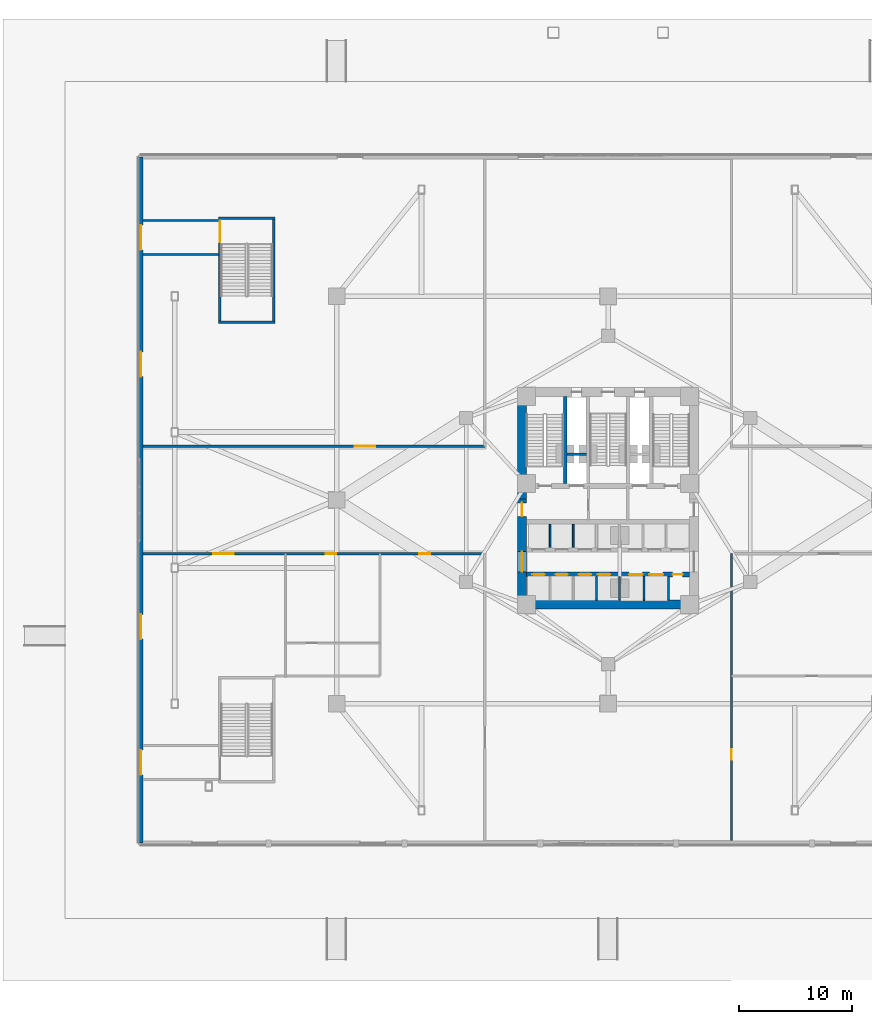
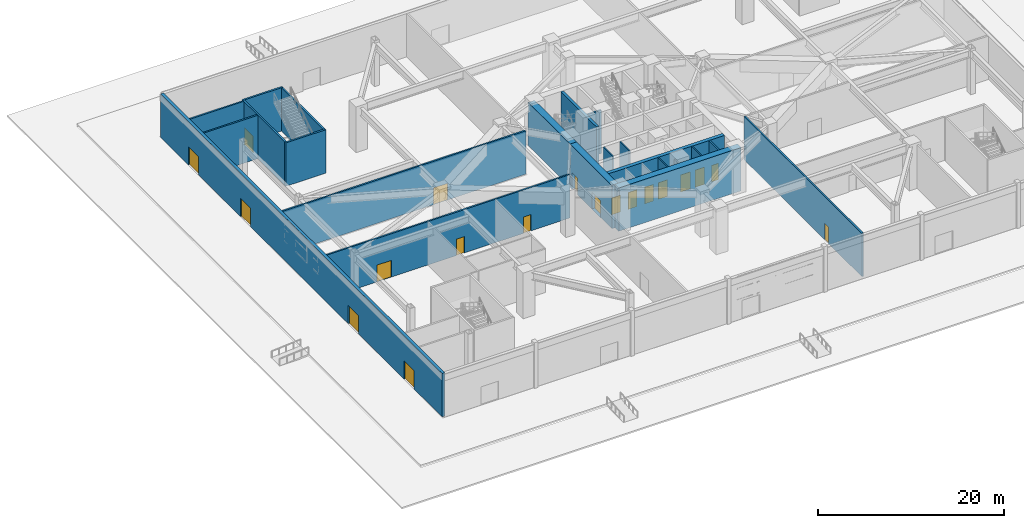
# One storey, part 11 of 24: 22 walls, 19 doors, 19 openings.
"""IFC4 building model written with IfcOpenShell, lengths in metres."""

from ifc_helpers import new_model, si_unit, direction, frame, frame_2d, origin, place, context, subcontext, project, spatial, rectangle, extrude, material, layer, layer_set, type_object, element, fill, save


model = new_model("IFC4")

# Units and contexts
model_context = context("Model", 3, precision=1e-05, world=origin(), true_north=direction((0.0, 1.0)))
body_context = subcontext(model_context, "Body", "Model", "MODEL_VIEW")
ifc_project = project(units=[si_unit("LENGTHUNIT", "METRE"), si_unit("AREAUNIT", "SQUARE_METRE"), si_unit("VOLUMEUNIT", "CUBIC_METRE"), si_unit("PLANEANGLEUNIT", "RADIAN"), si_unit("MASSUNIT", "GRAM", prefix="KILO")], contexts=[model_context])

# Site, building, storey
site_placement = place(None, origin())
site = spatial("IfcSite", under=ifc_project, at=site_placement, CompositionType="ELEMENT")
building_placement = place(site_placement, origin())
building = spatial("IfcBuilding", under=site, at=building_placement, Name="Apsidion Concourse Tower", CompositionType="ELEMENT")
storey_placement = place(building_placement, origin())
storey = spatial("IfcBuildingStorey", under=building, at=storey_placement, Name="L00", CompositionType="ELEMENT", Elevation=0.0)

# Wall, openings, doors
ifc_material_1 = material(Name="Precast concrete C40/50", Category="concrete")
ifc_layer_1 = layer(ifc_material_1, 0.360107421875)
ifc_layer_set_1 = layer_set([ifc_layer_1], Name="Precast concrete C40/50")
wall_type_1 = type_object("IfcWallType", Name="WL-EXT-360", PredefinedType="STANDARD", material=ifc_layer_set_1)
wall_1_placement = place(storey_placement, frame((-41.300048828125, -30.300048828125, 0.0), z_axis=(0.0, 0.0, 1.0), x_axis=(0.0, 1.0, 0.0)))
wall_1 = element("IfcWall", 1, at=wall_1_placement, inside=storey, type_object=wall_type_1, Name="L00 Podium Precast Stone Facade Wall W", PredefinedType="STANDARD", context=body_context, shape_type="SweptSolid", body=[
    extrude(rectangle(XDim=60.60009765625, YDim=0.360107421875, at=frame_2d((30.300048828125, 0.0))), origin(), (0.0, 0.0, 1.0), 5.699951171875),
])
opening_1_placement = place(wall_1_placement, frame((6.0, 0.0, 0.0)))
opening_1 = element("IfcOpeningElement", 2, at=opening_1_placement, cuts=wall_1, Name="Opening EX-05", PredefinedType="OPENING", context=body_context, shape_type="SweptSolid", body=[
    extrude(rectangle(XDim=2.199951171875, YDim=2.39990234375, at=frame_2d((1.10009765625, 1.199951171875))), frame((0.0, 0.18994140625, 0.0), z_axis=(0.0, -1.0, 0.0), x_axis=(1.0, 0.0, 0.0)), (0.0, 0.0, 1.0), 0.380126953125),
])
opening_2_placement = place(wall_1_placement, frame((18.0, 0.0, 0.0)))
opening_2 = element("IfcOpeningElement", 3, at=opening_2_placement, cuts=wall_1, Name="Opening EX-06", PredefinedType="OPENING", context=body_context, shape_type="SweptSolid", body=[
    extrude(rectangle(XDim=2.199951171875, YDim=2.39990234375, at=frame_2d((1.10009765625, 1.199951171875))), frame((0.0, 0.18994140625, 0.0), z_axis=(0.0, -1.0, 0.0), x_axis=(1.0, 0.0, 0.0)), (0.0, 0.0, 1.0), 0.380126953125),
])
opening_3_placement = place(wall_1_placement, frame((41.199951171875, 0.0, 0.0)))
opening_3 = element("IfcOpeningElement", 4, at=opening_3_placement, cuts=wall_1, Name="Opening EX-07", PredefinedType="OPENING", context=body_context, shape_type="SweptSolid", body=[
    extrude(rectangle(XDim=2.199951171875, YDim=2.39990234375, at=frame_2d((1.10009765625, 1.199951171875))), frame((0.0, 0.18994140625, 0.0), z_axis=(0.0, -1.0, 0.0), x_axis=(1.0, 0.0, 0.0)), (0.0, 0.0, 1.0), 0.380126953125),
])
opening_4_placement = place(wall_1_placement, frame((52.39990234375, 0.0, 0.0)))
opening_4 = element("IfcOpeningElement", 5, at=opening_4_placement, cuts=wall_1, Name="Opening EX-08", PredefinedType="OPENING", context=body_context, shape_type="SweptSolid", body=[
    extrude(rectangle(XDim=2.199951171875, YDim=2.39990234375, at=frame_2d((1.10009765625, 1.199951171875))), frame((0.0, 0.18994140625, 0.0), z_axis=(0.0, -1.0, 0.0), x_axis=(1.0, 0.0, 0.0)), (0.0, 0.0, 1.0), 0.380126953125),
])
ifc_material_2 = material(Name="Brushed stainless steel 316", Category="steel")
door_type_1 = type_object("IfcDoorType", Name="DR-EXT-2224", OperationType="DOUBLE_DOOR_SINGLE_SWING", PredefinedType="DOOR", material=ifc_material_2)
door_1_placement = place(opening_1_placement, origin())
door_1 = element("IfcDoor", 6, at=door_1_placement, inside=storey, type_object=door_type_1, Name="L00 Final Pedestrian Exit Door EX-05", OperationType="DOUBLE_DOOR_SINGLE_SWING", OverallHeight=2.39990234375, OverallWidth=2.199951171875, PredefinedType="DOOR", context=body_context, shape_type="SweptSolid", body=[
    extrude(rectangle(XDim=2.199951171875, YDim=2.39990234375, at=frame_2d((1.10009765625, 1.199951171875))), frame((0.0, 0.02490234375, 0.0), z_axis=(0.0, -1.0, 0.0), x_axis=(1.0, 0.0, 0.0)), (0.0, 0.0, 1.0), 0.050048828125),
])
fill(opening_1, door_1)
door_2_placement = place(opening_2_placement, origin())
door_2 = element("IfcDoor", 7, at=door_2_placement, inside=storey, type_object=door_type_1, Name="L00 Final Pedestrian Exit Door EX-06", OperationType="DOUBLE_DOOR_SINGLE_SWING", OverallHeight=2.39990234375, OverallWidth=2.199951171875, PredefinedType="DOOR", context=body_context, shape_type="SweptSolid", body=[
    extrude(rectangle(XDim=2.199951171875, YDim=2.39990234375, at=frame_2d((1.10009765625, 1.199951171875))), frame((0.0, 0.02490234375, 0.0), z_axis=(0.0, -1.0, 0.0), x_axis=(1.0, 0.0, 0.0)), (0.0, 0.0, 1.0), 0.050048828125),
])
fill(opening_2, door_2)
door_3_placement = place(opening_3_placement, origin())
door_3 = element("IfcDoor", 8, at=door_3_placement, inside=storey, type_object=door_type_1, Name="L00 Final Pedestrian Exit Door EX-07", OperationType="DOUBLE_DOOR_SINGLE_SWING", OverallHeight=2.39990234375, OverallWidth=2.199951171875, PredefinedType="DOOR", context=body_context, shape_type="SweptSolid", body=[
    extrude(rectangle(XDim=2.199951171875, YDim=2.39990234375, at=frame_2d((1.10009765625, 1.199951171875))), frame((0.0, 0.02490234375, 0.0), z_axis=(0.0, -1.0, 0.0), x_axis=(1.0, 0.0, 0.0)), (0.0, 0.0, 1.0), 0.050048828125),
])
fill(opening_3, door_3)
door_4_placement = place(opening_4_placement, origin())
door_4 = element("IfcDoor", 9, at=door_4_placement, inside=storey, type_object=door_type_1, Name="L00 Final Pedestrian Exit Door EX-08", OperationType="DOUBLE_DOOR_SINGLE_SWING", OverallHeight=2.39990234375, OverallWidth=2.199951171875, PredefinedType="DOOR", context=body_context, shape_type="SweptSolid", body=[
    extrude(rectangle(XDim=2.199951171875, YDim=2.39990234375, at=frame_2d((1.10009765625, 1.199951171875))), frame((0.0, 0.02490234375, 0.0), z_axis=(0.0, -1.0, 0.0), x_axis=(1.0, 0.0, 0.0)), (0.0, 0.0, 1.0), 0.050048828125),
])
fill(opening_4, door_4)

# Walls
ifc_material_3 = material(Name="Gypsum plasterboard partition")
ifc_layer_2 = layer(ifc_material_3, 0.14990234375)
ifc_layer_set_2 = layer_set([ifc_layer_2], Name="Gypsum plasterboard partition")
wall_type_2 = type_object("IfcWallType", Name="WL-INT-PAR-150", PredefinedType="PARTITIONING", material=ifc_layer_set_2)
for number, where, z_axis, x_axis, name in (
    (10, (-5.125, -4.179931640625, 0.0), (0.0, 0.0, 1.0), (0.0, 1.0, 0.0), "L00 Interior Partition WL-L00-B1DIV-1"),
    (11, (-3.074951171875, -4.179931640625, 0.0), (0.0, 0.0, 1.0), (0.0, 1.0, 0.0), "L00 Interior Partition WL-L00-B1DIV-2"),
):
    element("IfcWall", number, at=place(storey_placement, frame(where, z_axis=z_axis, x_axis=x_axis)), inside=storey, type_object=wall_type_2, Name=name, PredefinedType="PARTITIONING", context=body_context, shape_type="SweptSolid", body=[
        extrude(rectangle(XDim=2.030029296875, YDim=0.14990234375, at=frame_2d((1.01513671875, 0.0))), origin(), (0.0, 0.0, 1.0), 5.699951171875),
    ])
for number, where, z_axis, x_axis, name in (
    (12, (-1.02490234375, -8.85009765625, 0.0), (0.0, 0.0, 1.0), (0.0, 1.0, 0.0), "L00 Interior Partition WL-L00-B2DIV-3"),
    (13, (3.175048828125, -8.85009765625, 0.0), (0.0, 0.0, 1.0), (0.0, 1.0, 0.0), "L00 Interior Partition WL-L00-SHDIV-1"),
):
    element("IfcWall", number, at=place(storey_placement, frame(where, z_axis=z_axis, x_axis=x_axis)), inside=storey, type_object=wall_type_2, Name=name, PredefinedType="PARTITIONING", context=body_context, shape_type="SweptSolid", body=[
        extrude(rectangle(XDim=2.080078125, YDim=0.14990234375, at=frame_2d((1.0400390625, 0.0))), origin(), (0.0, 0.0, 1.0), 5.699951171875),
    ])
ifc_layer_3 = layer(ifc_material_3, 0.179931640625)
ifc_layer_set_3 = layer_set([ifc_layer_3], Name="Gypsum plasterboard partition")
wall_type_3 = type_object("IfcWallType", Name="WL-INT-PAR-180", PredefinedType="PARTITIONING", material=ifc_layer_set_3)
wall_2_placement = place(storey_placement, frame((1.02490234375, -8.85009765625, 0.0), z_axis=(0.0, 0.0, 1.0), x_axis=(0.0, 1.0, 0.0)))
element("IfcWall", 14, at=wall_2_placement, inside=storey, type_object=wall_type_3, Name="L00 Interior Partition WL-L00-B2END", PredefinedType="PARTITIONING", context=body_context, shape_type="SweptSolid", body=[
    extrude(rectangle(XDim=2.080078125, YDim=0.179931640625, at=frame_2d((1.0400390625, 0.0))), origin(), (0.0, 0.0, 1.0), 4.748046875),
])
wall_3_placement = place(storey_placement, frame((5.324951171875, -8.85009765625, 0.0), z_axis=(0.0, 0.0, 1.0), x_axis=(0.0, 1.0, 0.0)))
element("IfcWall", 15, at=wall_3_placement, inside=storey, type_object=wall_type_3, Name="L00 Interior Partition WL-L00-SHDIV-2", PredefinedType="PARTITIONING", context=body_context, shape_type="SweptSolid", body=[
    extrude(rectangle(XDim=2.080078125, YDim=0.179931640625, at=frame_2d((1.0400390625, 0.0))), origin(), (0.0, 0.0, 1.0), 5.699951171875),
])
ifc_layer_4 = layer(ifc_material_3, 0.199951171875)
ifc_layer_set_4 = layer_set([ifc_layer_4], Name="Gypsum plasterboard partition")
wall_type_4 = type_object("IfcWallType", Name="WL-INT-PAR-200", PredefinedType="PARTITIONING", material=ifc_layer_set_4)
wall_4_placement = place(storey_placement, frame((-3.64990234375, 4.050048828125, 0.0), z_axis=(0.0, 0.0, 1.0), x_axis=(1.0, 0.0, 0.0)))
element("IfcWall", 16, at=wall_4_placement, inside=storey, type_object=wall_type_4, Name="L00 Interior Partition WL-L00-FF1-N", PredefinedType="PARTITIONING", context=body_context, shape_type="SweptSolid", body=[
    extrude(rectangle(XDim=1.72998046875, YDim=0.199951171875, at=frame_2d((0.864990234375, 0.0))), origin(), (0.0, 0.0, 1.0), 5.699951171875),
])

# Wall, openings, doors
wall_5_placement = place(storey_placement, frame((-41.10498046875, -4.75, 0.0), z_axis=(0.0, 0.0, 1.0), x_axis=(1.0, 0.0, 0.0)))
wall_5 = element("IfcWall", 17, at=wall_5_placement, inside=storey, type_object=wall_type_4, Name="L00 Interior Partition WL-L00-SW-N", PredefinedType="PARTITIONING", context=body_context, shape_type="SweptSolid", body=[
    extrude(rectangle(XDim=30.205078125, YDim=0.199951171875, at=frame_2d((15.1025390625, 0.0))), origin(), (0.0, 0.0, 1.0), 5.699951171875),
])
opening_5_placement = place(wall_5_placement, frame((24.428955078125, 0.0, 0.0)))
opening_5 = element("IfcOpeningElement", 18, at=opening_5_placement, cuts=wall_5, Name="Opening D-01L", PredefinedType="OPENING", context=body_context, shape_type="SweptSolid", body=[
    extrude(rectangle(XDim=0.949951171875, YDim=2.14990234375, at=frame_2d((0.47509765625, 1.074951171875))), frame((0.0, 0.10986328125, 0.0), z_axis=(0.0, -1.0, 0.0), x_axis=(1.0, 0.0, 0.0)), (0.0, 0.0, 1.0), 0.219970703125),
])
opening_6_placement = place(wall_5_placement, frame((16.128662109375, 0.0, 0.0)))
opening_6 = element("IfcOpeningElement", 19, at=opening_6_placement, cuts=wall_5, Name="Opening D-01R", PredefinedType="OPENING", context=body_context, shape_type="SweptSolid", body=[
    extrude(rectangle(XDim=0.949951171875, YDim=2.14990234375, at=frame_2d((0.47509765625, 1.074951171875))), frame((0.0, 0.10986328125, 0.0), z_axis=(0.0, -1.0, 0.0), x_axis=(1.0, 0.0, 0.0)), (0.0, 0.0, 1.0), 0.219970703125),
])
opening_7_placement = place(wall_5_placement, frame((6.2041015625, 0.0, 0.0)))
opening_7 = element("IfcOpeningElement", 20, at=opening_7_placement, cuts=wall_5, Name="Opening D-06D", PredefinedType="OPENING", context=body_context, shape_type="SweptSolid", body=[
    extrude(rectangle(XDim=1.800048828125, YDim=2.199951171875, at=frame_2d((0.89990234375, 1.10009765625))), frame((0.0, 0.10986328125, 0.0), z_axis=(0.0, -1.0, 0.0), x_axis=(1.0, 0.0, 0.0)), (0.0, 0.0, 1.0), 0.219970703125),
])
door_type_2 = type_object("IfcDoorType", Name="DR-INT-D01L", OperationType="SINGLE_SWING_LEFT", PredefinedType="DOOR", material=ifc_material_2)
door_5_placement = place(opening_5_placement, origin())
door_5 = element("IfcDoor", 21, at=door_5_placement, inside=storey, type_object=door_type_2, Name="Fire Command Center Door", OperationType="SINGLE_SWING_LEFT", OverallHeight=2.14990234375, OverallWidth=0.949951171875, PredefinedType="DOOR", context=body_context, shape_type="SweptSolid", body=[
    extrude(rectangle(XDim=0.949951171875, YDim=2.14990234375, at=frame_2d((0.47509765625, 1.074951171875))), frame((0.0, 0.02490234375, 0.0), z_axis=(0.0, -1.0, 0.0), x_axis=(1.0, 0.0, 0.0)), (0.0, 0.0, 1.0), 0.050048828125),
])
fill(opening_5, door_5)
door_type_3 = type_object("IfcDoorType", Name="DR-INT-D01R", OperationType="SINGLE_SWING_RIGHT", PredefinedType="DOOR", material=ifc_material_2)
door_6_placement = place(opening_6_placement, origin())
door_6 = element("IfcDoor", 22, at=door_6_placement, inside=storey, type_object=door_type_3, Name="Concourse WC Door", OperationType="SINGLE_SWING_RIGHT", OverallHeight=2.14990234375, OverallWidth=0.949951171875, PredefinedType="DOOR", context=body_context, shape_type="SweptSolid", body=[
    extrude(rectangle(XDim=0.949951171875, YDim=2.14990234375, at=frame_2d((0.47509765625, 1.074951171875))), frame((0.0, 0.02490234375, 0.0), z_axis=(0.0, -1.0, 0.0), x_axis=(1.0, 0.0, 0.0)), (0.0, 0.0, 1.0), 0.050048828125),
])
fill(opening_6, door_6)
door_type_4 = type_object("IfcDoorType", Name="DR-INT-D06D", OperationType="DOUBLE_DOOR_SINGLE_SWING", PredefinedType="DOOR", material=ifc_material_2)
door_7_placement = place(opening_7_placement, origin())
door_7 = element("IfcDoor", 23, at=door_7_placement, inside=storey, type_object=door_type_4, Name="West Boutique Entry", OperationType="DOUBLE_DOOR_SINGLE_SWING", OverallHeight=2.199951171875, OverallWidth=1.800048828125, PredefinedType="DOOR", context=body_context, shape_type="SweptSolid", body=[
    extrude(rectangle(XDim=1.800048828125, YDim=2.199951171875, at=frame_2d((0.89990234375, 1.10009765625))), frame((0.0, 0.02490234375, 0.0), z_axis=(0.0, -1.0, 0.0), x_axis=(1.0, 0.0, 0.0)), (0.0, 0.0, 1.0), 0.050048828125),
])
fill(opening_7, door_7)

# Walls
for number, where, z_axis, x_axis, name in (
    (24, (-41.10498046875, 21.68994140625, 0.0), (0.0, 0.0, 1.0), (1.0, 0.0, 0.0), "L00 Interior Partition WL-L00-EXP3-S"),
    (25, (-41.10498046875, 24.7099609375, 0.0), (0.0, 0.0, 1.0), (1.0, 0.0, 0.0), "L00 Interior Partition WL-L00-EXP3-N"),
):
    element("IfcWall", number, at=place(storey_placement, frame(where, z_axis=z_axis, x_axis=x_axis)), inside=storey, type_object=wall_type_4, Name=name, PredefinedType="PARTITIONING", context=body_context, shape_type="SweptSolid", body=[
        extrude(rectangle(XDim=6.68505859375, YDim=0.199951171875, at=frame_2d((3.342529296875, 0.0))), origin(), (0.0, 0.0, 1.0), 5.699951171875),
    ])

# Wall, opening, door
wall_6_placement = place(storey_placement, frame((-41.10498046875, 4.75, 0.0), z_axis=(0.0, 0.0, 1.0), x_axis=(1.0, 0.0, 0.0)))
wall_6 = element("IfcWall", 26, at=wall_6_placement, inside=storey, type_object=wall_type_4, Name="L00 Interior Partition WL-L00-NW-S", PredefinedType="PARTITIONING", context=body_context, shape_type="SweptSolid", body=[
    extrude(rectangle(XDim=30.205078125, YDim=0.199951171875, at=frame_2d((15.1025390625, 0.0))), origin(), (0.0, 0.0, 1.0), 5.699951171875),
])
opening_8_placement = place(wall_6_placement, frame((18.7060546875, 0.0, 0.0)))
opening_8 = element("IfcOpeningElement", 27, at=opening_8_placement, cuts=wall_6, Name="Opening D-06D", PredefinedType="OPENING", context=body_context, shape_type="SweptSolid", body=[
    extrude(rectangle(XDim=1.800048828125, YDim=2.199951171875, at=frame_2d((0.89990234375, 1.10009765625))), frame((0.0, 0.10986328125, 0.0), z_axis=(0.0, -1.0, 0.0), x_axis=(1.0, 0.0, 0.0)), (0.0, 0.0, 1.0), 0.219970703125),
])
door_8_placement = place(opening_8_placement, origin())
door_8 = element("IfcDoor", 28, at=door_8_placement, inside=storey, type_object=door_type_4, Name="Hotel Lobby Concourse Portal", OperationType="DOUBLE_DOOR_SINGLE_SWING", OverallHeight=2.199951171875, OverallWidth=1.800048828125, PredefinedType="DOOR", context=body_context, shape_type="SweptSolid", body=[
    extrude(rectangle(XDim=1.800048828125, YDim=2.199951171875, at=frame_2d((0.89990234375, 1.10009765625))), frame((0.0, 0.02490234375, 0.0), z_axis=(0.0, -1.0, 0.0), x_axis=(1.0, 0.0, 0.0)), (0.0, 0.0, 1.0), 0.050048828125),
])
fill(opening_8, door_8)

wall_7_placement = place(storey_placement, frame((10.89990234375, -30.10498046875, 0.0), z_axis=(0.0, 0.0, 1.0), x_axis=(0.0, 1.0, 0.0)))
wall_7 = element("IfcWall", 29, at=wall_7_placement, inside=storey, type_object=wall_type_4, Name="L00 Interior Partition WL-L00-SE-W", PredefinedType="PARTITIONING", context=body_context, shape_type="SweptSolid", body=[
    extrude(rectangle(XDim=25.35498046875, YDim=0.199951171875, at=frame_2d((12.677490234375, 0.0))), origin(), (0.0, 0.0, 1.0), 5.699951171875),
])
opening_9_placement = place(wall_7_placement, frame((7.12890625, 0.0, 0.0)))
opening_9 = element("IfcOpeningElement", 30, at=opening_9_placement, cuts=wall_7, Name="Opening D-04R", PredefinedType="OPENING", context=body_context, shape_type="SweptSolid", body=[
    extrude(rectangle(XDim=0.949951171875, YDim=2.14990234375, at=frame_2d((0.47509765625, 1.074951171875))), frame((0.0, 0.10986328125, 0.0), z_axis=(0.0, -1.0, 0.0), x_axis=(1.0, 0.0, 0.0)), (0.0, 0.0, 1.0), 0.219970703125),
])
door_type_5 = type_object("IfcDoorType", Name="DR-INT-D04R", OperationType="SINGLE_SWING_RIGHT", PredefinedType="DOOR", material=ifc_material_2)
door_9_placement = place(opening_9_placement, origin())
door_9 = element("IfcDoor", 31, at=door_9_placement, inside=storey, type_object=door_type_5, Name="Bicycle Store Door", OperationType="SINGLE_SWING_RIGHT", OverallHeight=2.14990234375, OverallWidth=0.949951171875, PredefinedType="DOOR", context=body_context, shape_type="SweptSolid", body=[
    extrude(rectangle(XDim=0.949951171875, YDim=2.14990234375, at=frame_2d((0.47509765625, 1.074951171875))), frame((0.0, 0.02490234375, 0.0), z_axis=(0.0, -1.0, 0.0), x_axis=(1.0, 0.0, 0.0)), (0.0, 0.0, 1.0), 0.050048828125),
])
fill(opening_9, door_9)

# Walls
ifc_material_4 = material(Name="Concrete C50/60", Category="concrete")
ifc_layer_5 = layer(ifc_material_4, 0.219970703125)
ifc_layer_set_5 = layer_set([ifc_layer_5], Name="Concrete C50/60")
wall_type_5 = type_object("IfcWallType", Name="WL-SH-220", PredefinedType="SHEAR", material=ifc_layer_set_5)
for number, where, z_axis, x_axis, name in (
    (32, (-34.419921875, 15.68994140625, 0.0), (0.0, 0.0, 1.0), (1.0, 0.0, 0.0), "L00 Podium Stair ST-P3 Core Shear Wall S"),
    (33, (-34.419921875, 24.909912109375, 0.0), (0.0, 0.0, 1.0), (1.0, 0.0, 0.0), "L00 Podium Stair ST-P3 Core Shear Wall N"),
):
    element("IfcWall", number, at=place(storey_placement, frame(where, z_axis=z_axis, x_axis=x_axis)), inside=storey, type_object=wall_type_5, Name=name, PredefinedType="SHEAR", context=body_context, shape_type="SweptSolid", body=[
        extrude(rectangle(XDim=4.989990234375, YDim=0.219970703125, at=frame_2d((2.4951171875, 0.0))), origin(), (0.0, 0.0, 1.0), 5.699951171875),
    ])

# Wall, opening, door
wall_8_placement = place(storey_placement, frame((-34.31005859375, 15.800048828125, 0.0), z_axis=(0.0, 0.0, 1.0), x_axis=(0.0, 1.0, 0.0)))
wall_8 = element("IfcWall", 34, at=wall_8_placement, inside=storey, type_object=wall_type_5, Name="L00 Podium Stair ST-P3 Core Shear Wall W", PredefinedType="SHEAR", context=body_context, shape_type="SweptSolid", body=[
    extrude(rectangle(XDim=9.0, YDim=0.219970703125, at=frame_2d((4.5, 0.0))), origin(), (0.0, 0.0, 1.0), 5.699951171875),
])
opening_10_placement = place(wall_8_placement, frame((6.9599609375, 0.0, 0.0)))
opening_10 = element("IfcOpeningElement", 35, at=opening_10_placement, cuts=wall_8, Name="Opening D-07D", PredefinedType="OPENING", context=body_context, shape_type="SweptSolid", body=[
    extrude(rectangle(XDim=1.89990234375, YDim=2.199951171875, at=frame_2d((0.949951171875, 1.10009765625))), frame((0.0, 0.1201171875, 0.0), z_axis=(0.0, -1.0, 0.0), x_axis=(1.0, 0.0, 0.0)), (0.0, 0.0, 1.0), 0.239990234375),
])
door_type_6 = type_object("IfcDoorType", Name="DR-INT-D07D", OperationType="DOUBLE_DOOR_SINGLE_SWING", PredefinedType="DOOR", material=ifc_material_2)
door_10_placement = place(opening_10_placement, origin())
door_10 = element("IfcDoor", 36, at=door_10_placement, inside=storey, type_object=door_type_6, Name="L00 Podium Exit Stair ST-P3 Discharge Door", OperationType="DOUBLE_DOOR_SINGLE_SWING", OverallHeight=2.199951171875, OverallWidth=1.89990234375, PredefinedType="DOOR", context=body_context, shape_type="SweptSolid", body=[
    extrude(rectangle(XDim=1.89990234375, YDim=2.199951171875, at=frame_2d((0.949951171875, 1.10009765625))), frame((0.0, 0.02490234375, 0.0), z_axis=(0.0, -1.0, 0.0), x_axis=(1.0, 0.0, 0.0)), (0.0, 0.0, 1.0), 0.050048828125),
])
fill(opening_10, door_10)

# Walls
wall_9_placement = place(storey_placement, frame((-29.5400390625, 24.800048828125, 0.0), z_axis=(0.0, 0.0, 1.0), x_axis=(0.0, -1.0, 0.0)))
element("IfcWall", 37, at=wall_9_placement, inside=storey, type_object=wall_type_5, Name="L00 Podium Stair ST-P3 Core Shear Wall E", PredefinedType="SHEAR", context=body_context, shape_type="SweptSolid", body=[
    extrude(rectangle(XDim=9.0, YDim=0.219970703125, at=frame_2d((4.5, 0.0))), origin(), (0.0, 0.0, 1.0), 5.699951171875),
])
ifc_layer_6 = layer(ifc_material_4, 0.300048828125)
ifc_layer_set_6 = layer_set([ifc_layer_6], Name="Concrete C50/60")
wall_type_6 = type_object("IfcWallType", Name="WL-SH-300", PredefinedType="SHEAR", material=ifc_layer_set_6)
wall_10_placement = place(storey_placement, frame((-3.800048828125, 1.449951171875, 0.0), z_axis=(0.0, 0.0, 1.0), x_axis=(0.0, 1.0, 0.0)))
element("IfcWall", 38, at=wall_10_placement, inside=storey, type_object=wall_type_6, Name="L00 Central Core Shear Wall V1", PredefinedType="SHEAR", context=body_context, shape_type="SweptSolid", body=[
    extrude(rectangle(XDim=7.699951171875, YDim=0.300048828125, at=frame_2d((3.85009765625, 0.0))), origin(), (0.0, 0.0, 1.0), 5.699951171875),
])

# Wall, openings, doors
ifc_material_5 = material(Name="Concrete C60/75", Category="concrete")
ifc_layer_7 = layer(ifc_material_5, 0.449951171875)
ifc_layer_set_7 = layer_set([ifc_layer_7], Name="Concrete C60/75")
wall_type_7 = type_object("IfcWallType", Name="WL-SH-450", PredefinedType="SHEAR", material=ifc_layer_set_7)
wall_11_placement = place(storey_placement, frame((-7.199951171875, -6.570068359375, 0.0), z_axis=(0.0, 0.0, 1.0), x_axis=(1.0, 0.0, 0.0)))
wall_11 = element("IfcWall", 39, at=wall_11_placement, inside=storey, type_object=wall_type_7, Name="L00 Central Core Shear Wall LB", PredefinedType="SHEAR", context=body_context, shape_type="SweptSolid", body=[
    extrude(rectangle(XDim=14.39990234375, YDim=0.449951171875, at=frame_2d((7.199951171875, 0.0))), origin(), (0.0, 0.0, 1.0), 5.699951171875),
])
opening_11_placement = place(wall_11_placement, frame((0.5, 0.0, 0.0)))
opening_11 = element("IfcOpeningElement", 40, at=opening_11_placement, cuts=wall_11, Name="Opening LD-P1", PredefinedType="OPENING", context=body_context, shape_type="SweptSolid", body=[
    extrude(rectangle(XDim=1.10009765625, YDim=2.199951171875, at=frame_2d((0.550048828125, 1.10009765625))), frame((0.0, 0.23486328125, 0.0), z_axis=(0.0, -1.0, 0.0), x_axis=(1.0, 0.0, 0.0)), (0.0, 0.0, 1.0), 0.469970703125),
])
opening_12_placement = place(wall_11_placement, frame((2.550048828125, 0.0, 0.0)))
opening_12 = element("IfcOpeningElement", 41, at=opening_12_placement, cuts=wall_11, Name="Opening LD-P1", PredefinedType="OPENING", context=body_context, shape_type="SweptSolid", body=[
    extrude(rectangle(XDim=1.10009765625, YDim=2.199951171875, at=frame_2d((0.550048828125, 1.10009765625))), frame((0.0, 0.23486328125, 0.0), z_axis=(0.0, -1.0, 0.0), x_axis=(1.0, 0.0, 0.0)), (0.0, 0.0, 1.0), 0.469970703125),
])
opening_13_placement = place(wall_11_placement, frame((4.60009765625, 0.0, 0.0)))
opening_13 = element("IfcOpeningElement", 42, at=opening_13_placement, cuts=wall_11, Name="Opening LD-P1", PredefinedType="OPENING", context=body_context, shape_type="SweptSolid", body=[
    extrude(rectangle(XDim=1.10009765625, YDim=2.199951171875, at=frame_2d((0.550048828125, 1.10009765625))), frame((0.0, 0.23486328125, 0.0), z_axis=(0.0, -1.0, 0.0), x_axis=(1.0, 0.0, 0.0)), (0.0, 0.0, 1.0), 0.469970703125),
])
opening_14_placement = place(wall_11_placement, frame((6.300048828125, 0.0, 0.0)))
opening_14 = element("IfcOpeningElement", 43, at=opening_14_placement, cuts=wall_11, Name="Opening LD-P1", PredefinedType="OPENING", context=body_context, shape_type="SweptSolid", body=[
    extrude(rectangle(XDim=1.10009765625, YDim=2.199951171875, at=frame_2d((0.550048828125, 1.10009765625))), frame((0.0, 0.23486328125, 0.0), z_axis=(0.0, -1.0, 0.0), x_axis=(1.0, 0.0, 0.0)), (0.0, 0.0, 1.0), 0.469970703125),
])
opening_15_placement = place(wall_11_placement, frame((9.050048828125, 0.0, 0.0)))
opening_15 = element("IfcOpeningElement", 44, at=opening_15_placement, cuts=wall_11, Name="Opening LD-S1", PredefinedType="OPENING", context=body_context, shape_type="SweptSolid", body=[
    extrude(rectangle(XDim=1.199951171875, YDim=2.25, at=frame_2d((0.60009765625, 1.125))), frame((0.0, 0.23486328125, 0.0), z_axis=(0.0, -1.0, 0.0), x_axis=(1.0, 0.0, 0.0)), (0.0, 0.0, 1.0), 0.469970703125),
])
opening_16_placement = place(wall_11_placement, frame((10.85009765625, 0.0, 0.0)))
opening_16 = element("IfcOpeningElement", 45, at=opening_16_placement, cuts=wall_11, Name="Opening LD-S1", PredefinedType="OPENING", context=body_context, shape_type="SweptSolid", body=[
    extrude(rectangle(XDim=1.199951171875, YDim=2.25, at=frame_2d((0.60009765625, 1.125))), frame((0.0, 0.23486328125, 0.0), z_axis=(0.0, -1.0, 0.0), x_axis=(1.0, 0.0, 0.0)), (0.0, 0.0, 1.0), 0.469970703125),
])
opening_17_placement = place(wall_11_placement, frame((12.909912109375, 0.0, 0.0)))
opening_17 = element("IfcOpeningElement", 46, at=opening_17_placement, cuts=wall_11, Name="Opening D-05L", PredefinedType="OPENING", context=body_context, shape_type="SweptSolid", body=[
    extrude(rectangle(XDim=0.8798828125, YDim=2.14990234375, at=frame_2d((0.43994140625, 1.074951171875))), frame((0.0, 0.23486328125, 0.0), z_axis=(0.0, -1.0, 0.0), x_axis=(1.0, 0.0, 0.0)), (0.0, 0.0, 1.0), 0.469970703125),
])
door_type_7 = type_object("IfcDoorType", Name="DR-INT-D05L", OperationType="SINGLE_SWING_LEFT", PredefinedType="DOOR", material=ifc_material_2)
door_11_placement = place(opening_17_placement, origin())
door_11 = element("IfcDoor", 47, at=door_11_placement, inside=storey, type_object=door_type_7, Name="L00 Cleaners Store Door", OperationType="SINGLE_SWING_LEFT", OverallHeight=2.14990234375, OverallWidth=0.8798828125, PredefinedType="DOOR", context=body_context, shape_type="SweptSolid", body=[
    extrude(rectangle(XDim=0.8798828125, YDim=2.14990234375, at=frame_2d((0.43994140625, 1.074951171875))), frame((0.0, 0.02490234375, 0.0), z_axis=(0.0, -1.0, 0.0), x_axis=(1.0, 0.0, 0.0)), (0.0, 0.0, 1.0), 0.050048828125),
])
fill(opening_17, door_11)
door_type_8 = type_object("IfcDoorType", Name="DR-LD-PASS", OperationType="DOUBLE_DOOR_SLIDING", PredefinedType="DOOR", material=ifc_material_2)
door_12_placement = place(opening_11_placement, origin())
door_12 = element("IfcDoor", 48, at=door_12_placement, inside=storey, type_object=door_type_8, Name="L00 Lift Landing Door P5", OperationType="DOUBLE_DOOR_SLIDING", OverallHeight=2.199951171875, OverallWidth=1.10009765625, PredefinedType="DOOR", context=body_context, shape_type="SweptSolid", body=[
    extrude(rectangle(XDim=1.10009765625, YDim=2.199951171875, at=frame_2d((0.550048828125, 1.10009765625))), frame((0.0, 0.02490234375, 0.0), z_axis=(0.0, -1.0, 0.0), x_axis=(1.0, 0.0, 0.0)), (0.0, 0.0, 1.0), 0.050048828125),
])
fill(opening_11, door_12)
door_13_placement = place(opening_12_placement, origin())
door_13 = element("IfcDoor", 49, at=door_13_placement, inside=storey, type_object=door_type_8, Name="L00 Lift Landing Door P6", OperationType="DOUBLE_DOOR_SLIDING", OverallHeight=2.199951171875, OverallWidth=1.10009765625, PredefinedType="DOOR", context=body_context, shape_type="SweptSolid", body=[
    extrude(rectangle(XDim=1.10009765625, YDim=2.199951171875, at=frame_2d((0.550048828125, 1.10009765625))), frame((0.0, 0.02490234375, 0.0), z_axis=(0.0, -1.0, 0.0), x_axis=(1.0, 0.0, 0.0)), (0.0, 0.0, 1.0), 0.050048828125),
])
fill(opening_12, door_13)
door_14_placement = place(opening_13_placement, origin())
door_14 = element("IfcDoor", 50, at=door_14_placement, inside=storey, type_object=door_type_8, Name="L00 Lift Landing Door P7", OperationType="DOUBLE_DOOR_SLIDING", OverallHeight=2.199951171875, OverallWidth=1.10009765625, PredefinedType="DOOR", context=body_context, shape_type="SweptSolid", body=[
    extrude(rectangle(XDim=1.10009765625, YDim=2.199951171875, at=frame_2d((0.550048828125, 1.10009765625))), frame((0.0, 0.02490234375, 0.0), z_axis=(0.0, -1.0, 0.0), x_axis=(1.0, 0.0, 0.0)), (0.0, 0.0, 1.0), 0.050048828125),
])
fill(opening_13, door_14)
door_15_placement = place(opening_14_placement, origin())
door_15 = element("IfcDoor", 51, at=door_15_placement, inside=storey, type_object=door_type_8, Name="L00 Lift Landing Door P8", OperationType="DOUBLE_DOOR_SLIDING", OverallHeight=2.199951171875, OverallWidth=1.10009765625, PredefinedType="DOOR", context=body_context, shape_type="SweptSolid", body=[
    extrude(rectangle(XDim=1.10009765625, YDim=2.199951171875, at=frame_2d((0.550048828125, 1.10009765625))), frame((0.0, 0.02490234375, 0.0), z_axis=(0.0, -1.0, 0.0), x_axis=(1.0, 0.0, 0.0)), (0.0, 0.0, 1.0), 0.050048828125),
])
fill(opening_14, door_15)
door_type_9 = type_object("IfcDoorType", Name="DR-LD-SHUT", OperationType="DOUBLE_DOOR_SLIDING", PredefinedType="DOOR", material=ifc_material_2)
door_16_placement = place(opening_15_placement, origin())
door_16 = element("IfcDoor", 52, at=door_16_placement, inside=storey, type_object=door_type_9, Name="L00 Lift Landing Door P12", OperationType="DOUBLE_DOOR_SLIDING", OverallHeight=2.25, OverallWidth=1.199951171875, PredefinedType="DOOR", context=body_context, shape_type="SweptSolid", body=[
    extrude(rectangle(XDim=1.199951171875, YDim=2.25, at=frame_2d((0.60009765625, 1.125))), frame((0.0, 0.02490234375, 0.0), z_axis=(0.0, -1.0, 0.0), x_axis=(1.0, 0.0, 0.0)), (0.0, 0.0, 1.0), 0.050048828125),
])
fill(opening_15, door_16)
door_17_placement = place(opening_16_placement, origin())
door_17 = element("IfcDoor", 53, at=door_17_placement, inside=storey, type_object=door_type_9, Name="L00 Lift Landing Door P13", OperationType="DOUBLE_DOOR_SLIDING", OverallHeight=2.25, OverallWidth=1.199951171875, PredefinedType="DOOR", context=body_context, shape_type="SweptSolid", body=[
    extrude(rectangle(XDim=1.199951171875, YDim=2.25, at=frame_2d((0.60009765625, 1.125))), frame((0.0, 0.02490234375, 0.0), z_axis=(0.0, -1.0, 0.0), x_axis=(1.0, 0.0, 0.0)), (0.0, 0.0, 1.0), 0.050048828125),
])
fill(opening_16, door_17)

# Wall
ifc_layer_8 = layer(ifc_material_5, 0.800048828125)
ifc_layer_set_8 = layer_set([ifc_layer_8], Name="Concrete C60/75")
wall_type_8 = type_object("IfcWallType", Name="WL-SH-800", PredefinedType="SHEAR", material=ifc_layer_set_8)
wall_12_placement = place(storey_placement, frame((-7.60009765625, 0.10009765625, 0.0), z_axis=(0.0, 0.0, 1.0), x_axis=(0.0, 1.0, 0.0)))
element("IfcWall", 54, at=wall_12_placement, inside=storey, type_object=wall_type_8, Name="L00 Central Core Shear Wall WN", PredefinedType="SHEAR", context=body_context, shape_type="SweptSolid", body=[
    extrude(rectangle(XDim=9.0498046875, YDim=0.800048828125, at=frame_2d((4.52490234375, 0.0))), origin(), (0.0, 0.0, 1.0), 5.699951171875),
])

# Wall, openings, doors
wall_13_placement = place(storey_placement, frame((-7.60009765625, -8.85009765625, 0.0), z_axis=(0.0, 0.0, 1.0), x_axis=(0.0, 1.0, 0.0)))
wall_13 = element("IfcWall", 55, at=wall_13_placement, inside=storey, type_object=wall_type_8, Name="L00 Central Core Shear Wall WS", PredefinedType="SHEAR", context=body_context, shape_type="SweptSolid", body=[
    extrude(rectangle(XDim=8.9501953125, YDim=0.800048828125, at=frame_2d((4.47509765625, 0.0))), origin(), (0.0, 0.0, 1.0), 5.699951171875),
])
opening_18_placement = place(wall_13_placement, frame((2.489990234375, 0.0, 0.0)))
opening_18 = element("IfcOpeningElement", 56, at=opening_18_placement, cuts=wall_13, Name="Opening D-06D", PredefinedType="OPENING", context=body_context, shape_type="SweptSolid", body=[
    extrude(rectangle(XDim=1.800048828125, YDim=2.199951171875, at=frame_2d((0.89990234375, 1.10009765625))), frame((0.0, 0.41015625, 0.0), z_axis=(0.0, -1.0, 0.0), x_axis=(1.0, 0.0, 0.0)), (0.0, 0.0, 1.0), 0.820068359375),
])
opening_19_placement = place(wall_13_placement, frame((7.39990234375, 0.0, 0.0)))
opening_19 = element("IfcOpeningElement", 57, at=opening_19_placement, cuts=wall_13, Name="Opening D-FFL", PredefinedType="OPENING", context=body_context, shape_type="SweptSolid", body=[
    extrude(rectangle(XDim=1.199951171875, YDim=2.14990234375, at=frame_2d((0.60009765625, 1.074951171875))), frame((0.0, 0.41015625, 0.0), z_axis=(0.0, -1.0, 0.0), x_axis=(1.0, 0.0, 0.0)), (0.0, 0.0, 1.0), 0.820068359375),
])
door_18_placement = place(opening_18_placement, origin())
door_18 = element("IfcDoor", 58, at=door_18_placement, inside=storey, type_object=door_type_4, Name="L00 Passenger Lift Lobby WS Portal Door", OperationType="DOUBLE_DOOR_SINGLE_SWING", OverallHeight=2.199951171875, OverallWidth=1.800048828125, PredefinedType="DOOR", context=body_context, shape_type="SweptSolid", body=[
    extrude(rectangle(XDim=1.800048828125, YDim=2.199951171875, at=frame_2d((0.89990234375, 1.10009765625))), frame((0.0, 0.02490234375, 0.0), z_axis=(0.0, -1.0, 0.0), x_axis=(1.0, 0.0, 0.0)), (0.0, 0.0, 1.0), 0.050048828125),
])
fill(opening_18, door_18)
door_type_10 = type_object("IfcDoorType", Name="DR-INT-FFL", OperationType="SINGLE_SWING_LEFT", PredefinedType="DOOR", material=ifc_material_2)
door_19_placement = place(opening_19_placement, origin())
door_19 = element("IfcDoor", 59, at=door_19_placement, inside=storey, type_object=door_type_10, Name="L00 Firefighting Lift Lobby FF1 Door", OperationType="SINGLE_SWING_LEFT", OverallHeight=2.14990234375, OverallWidth=1.199951171875, PredefinedType="DOOR", context=body_context, shape_type="SweptSolid", body=[
    extrude(rectangle(XDim=1.199951171875, YDim=2.14990234375, at=frame_2d((0.60009765625, 1.074951171875))), frame((0.0, 0.02490234375, 0.0), z_axis=(0.0, -1.0, 0.0), x_axis=(1.0, 0.0, 0.0)), (0.0, 0.0, 1.0), 0.050048828125),
])
fill(opening_19, door_19)

# Wall
wall_14_placement = place(storey_placement, frame((-7.60009765625, -9.25, 0.0), z_axis=(0.0, 0.0, 1.0), x_axis=(1.0, 0.0, 0.0)))
element("IfcWall", 60, at=wall_14_placement, inside=storey, type_object=wall_type_8, Name="L00 Central Core Shear Wall S", PredefinedType="SHEAR", context=body_context, shape_type="SweptSolid", body=[
    extrude(rectangle(XDim=15.2001953125, YDim=0.800048828125, at=frame_2d((7.60009765625, 0.0))), origin(), (0.0, 0.0, 1.0), 5.699951171875),
])

save(model, "model.ifc")
